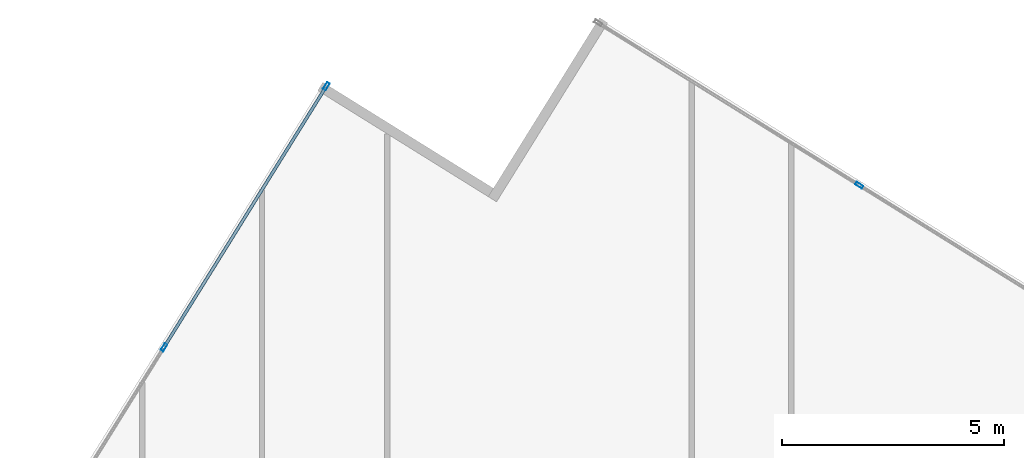
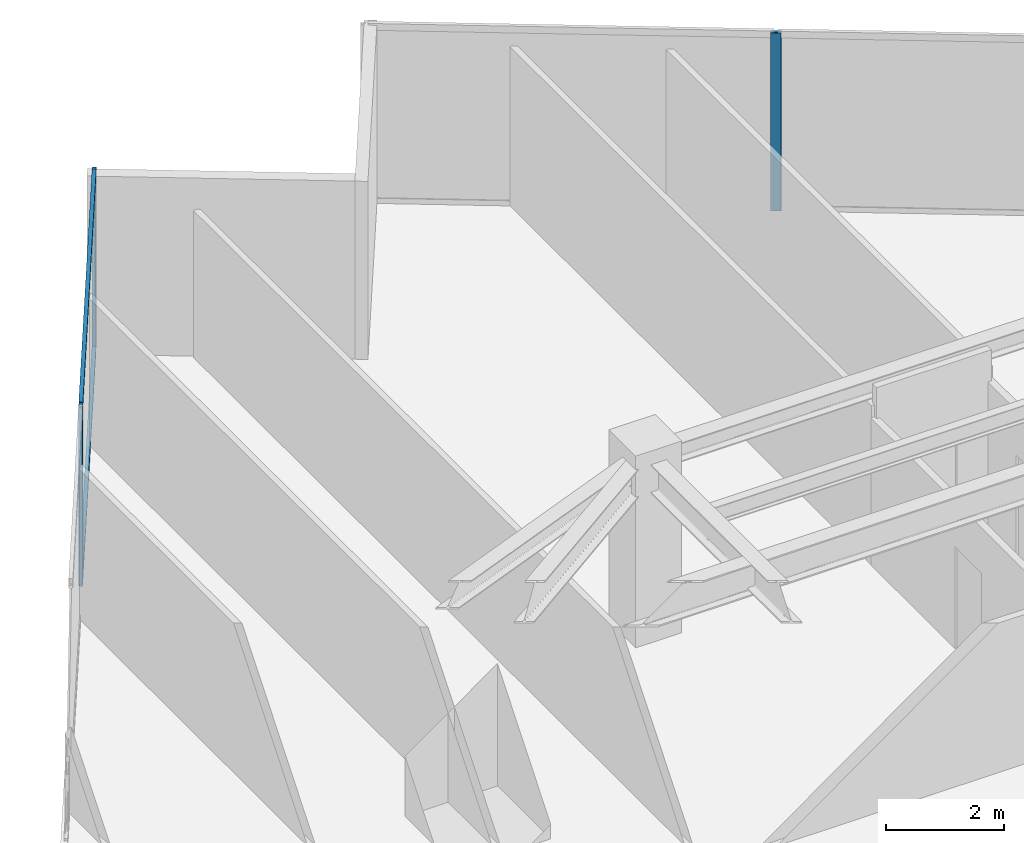
# One storey, part 15 of 25: 5 members, 2 elements without a shape of their own.
"""IFC4 building model written with IfcOpenShell, lengths in metres."""

from ifc_helpers import new_model, si_unit, direction, frame, origin, origin_2d, place, context, subcontext, project, spatial, hollow_rectangle, extrude, source, transform, mapped, material, material_profile, profile_set, type_object, type_shapes, element, aggregate, save


model = new_model("IFC4")

# Units and contexts
model_context = context("Model", 3, precision=1e-05, world=origin(), true_north=direction((0.0, 1.0)))
body_context = subcontext(model_context, "Body", "Model", "MODEL_VIEW")
ifc_project = project(units=[si_unit("LENGTHUNIT", "METRE"), si_unit("AREAUNIT", "SQUARE_METRE"), si_unit("VOLUMEUNIT", "CUBIC_METRE"), si_unit("PLANEANGLEUNIT", "RADIAN"), si_unit("MASSUNIT", "GRAM", prefix="KILO")], contexts=[model_context])

# Site, building, storey
site_placement = place(None, origin())
site = spatial("IfcSite", under=ifc_project, at=site_placement, CompositionType="ELEMENT")
building_placement = place(site_placement, origin())
building = spatial("IfcBuilding", under=site, at=building_placement, Name="Krantzveldt Concourse Tower", CompositionType="ELEMENT")
storey_placement = place(building_placement, frame((0.0, 0.0, 177.800048828125)))
storey = spatial("IfcBuildingStorey", under=building, at=storey_placement, Name="L43", CompositionType="ELEMENT", Elevation=177.800048828125)

# Curtain wall, members
ifc_material = material(Name="Anodised aluminium 6063-T6", Category="aluminium")
curtain_wall_type = type_object("IfcCurtainWallType", Name="CW3", PredefinedType="USERDEFINED", material=ifc_material)
curtain_wall_1_placement = place(storey_placement, origin())
curtain_wall_1 = element("IfcCurtainWall", 1, at=curtain_wall_1_placement, inside=storey, type_object=curtain_wall_type, Name="CW-L43-F01", ObjectType="UNITISED CURTAIN WALL", PredefinedType="USERDEFINED")
ifc_material_profile_1 = material_profile(ifc_material, hollow_rectangle(XDim=0.070068359375, YDim=0.179931640625, WallThickness=0.0048828125, at=origin_2d()), Name="Anodised aluminium 6063-T6", Category="aluminium")
ifc_profile_set_1 = profile_set([ifc_material_profile_1], Name="Anodised aluminium 6063-T6 - ALU-MULL 180x70x5")
member_type_1 = type_object("IfcMemberType", Name="CW-MUL-180", PredefinedType="MULLION", material=ifc_profile_set_1)
shared_shape_1 = source(origin(), body_context, "Body", "SweptSolid", [
    extrude(hollow_rectangle(XDim=0.070068359375, YDim=0.179931640625, WallThickness=0.0048828125, at=origin_2d()), origin(), (0.0, 0.0, 1.0), 3.669921875),
])
type_shapes(member_type_1, [shared_shape_1])
member_1_placement = place(storey_placement, frame((26.648681640625, 52.963623046875, 0.0), z_axis=(0.0, 0.0, 1.0), x_axis=(0.84920214961, -0.528067901977, 0.0)))
member_1 = element("IfcMember", 2, at=member_1_placement, type_object=member_type_1, Name="CW-Z34 mullion 1", PredefinedType="MULLION", context=body_context, shape_type="MappedRepresentation", body=[
    mapped(shared_shape_1, transform((0.0, 0.0, 0.0), x_axis=(1.0, 0.0, 0.0), y_axis=(0.0, 1.0, 0.0), z_axis=(0.0, 0.0, 1.0), scale=1.0)),
])
member_2_placement = place(storey_placement, frame((22.991943359375, 47.082763671875, 0.0), z_axis=(0.0, 0.0, 1.0), x_axis=(0.84920214961, -0.528067901977, 0.0)))
member_2 = element("IfcMember", 3, at=member_2_placement, type_object=member_type_1, Name="CW-Z34 mullion 2", PredefinedType="MULLION", context=body_context, shape_type="MappedRepresentation", body=[
    mapped(shared_shape_1, transform((0.0, 0.0, 0.0), x_axis=(1.0, 0.0, 0.0), y_axis=(0.0, 1.0, 0.0), z_axis=(0.0, 0.0, 1.0), scale=1.0)),
])

# Curtain wall, member
curtain_wall_2_placement = place(storey_placement, origin())
curtain_wall_2 = element("IfcCurtainWall", 4, at=curtain_wall_2_placement, inside=storey, type_object=curtain_wall_type, Name="CW-L43-F10", ObjectType="UNITISED CURTAIN WALL", PredefinedType="USERDEFINED")
member_3_placement = place(storey_placement, frame((38.6513671875, 50.734130859375, 0.0), z_axis=(0.0, 0.0, 1.0), x_axis=(-0.528067901977, -0.84920214961, 0.0)))
member_3 = element("IfcMember", 5, at=member_3_placement, type_object=member_type_1, Name="CW-Z34 mullion 5", PredefinedType="MULLION", context=body_context, shape_type="MappedRepresentation", body=[
    mapped(shared_shape_1, transform((0.0, 0.0, 0.0), x_axis=(1.0, 0.0, 0.0), y_axis=(0.0, 1.0, 0.0), z_axis=(0.0, 0.0, 1.0), scale=1.0)),
])
aggregate(curtain_wall_2, [member_3])

# Member
ifc_material_profile_2 = material_profile(ifc_material, hollow_rectangle(XDim=0.070068359375, YDim=0.139892578125, WallThickness=0.0048828125, at=origin_2d()), Name="Anodised aluminium 6063-T6", Category="aluminium")
ifc_profile_set_2 = profile_set([ifc_material_profile_2], Name="Anodised aluminium 6063-T6 - ALU-TRAN 140x70x5")
member_type_2 = type_object("IfcMemberType", Name="CW-TRN-150", PredefinedType="USERDEFINED", material=ifc_profile_set_2)
shared_shape_2 = source(origin(), body_context, "Body", "SweptSolid", [
    extrude(hollow_rectangle(XDim=0.070068359375, YDim=0.139892578125, WallThickness=0.0048828125, at=origin_2d()), origin(), (0.0, 0.0, 1.0), 6.85498046875),
])
type_shapes(member_type_2, [shared_shape_2])
member_4_placement = place(storey_placement, frame((26.63037109375, 52.933837890625, 0.034912109375), z_axis=(-0.52806394654, -0.849204609246, 0.0), x_axis=(0.849204609246, -0.52806394654, 0.0)))
member_4 = element("IfcMember", 6, at=member_4_placement, type_object=member_type_2, Name="CW-Z34 transom 1.1", ObjectType="TRANSOM", PredefinedType="USERDEFINED", context=body_context, shape_type="MappedRepresentation", body=[
    mapped(shared_shape_2, transform((0.0, 0.0, 0.0), x_axis=(1.0, 0.0, 0.0), y_axis=(0.0, 1.0, 0.0), z_axis=(0.0, 0.0, 1.0), scale=1.0)),
])

member_5_placement = place(storey_placement, frame((26.63037109375, 52.933837890625, 3.635009765625), z_axis=(-0.52806394654, -0.849204609246, 0.0), x_axis=(0.849204609246, -0.52806394654, 0.0)))
member_5 = element("IfcMember", 7, at=member_5_placement, type_object=member_type_2, Name="CW-Z34 transom 1.2", ObjectType="TRANSOM", PredefinedType="USERDEFINED", context=body_context, shape_type="MappedRepresentation", body=[
    mapped(shared_shape_2, transform((0.0, 0.0, 0.0), x_axis=(1.0, 0.0, 0.0), y_axis=(0.0, 1.0, 0.0), z_axis=(0.0, 0.0, 1.0), scale=1.0)),
])

aggregate(curtain_wall_1, [member_1, member_2, member_4, member_5])

save(model, "model.ifc")
